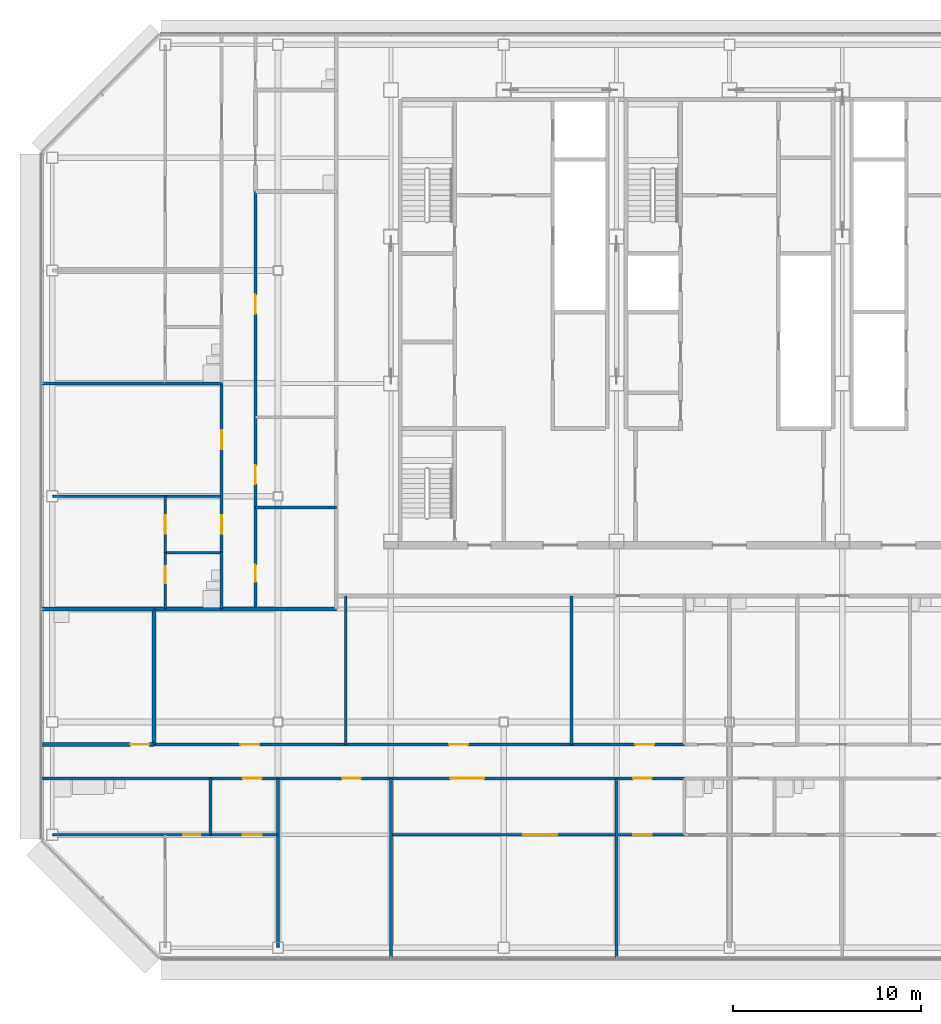
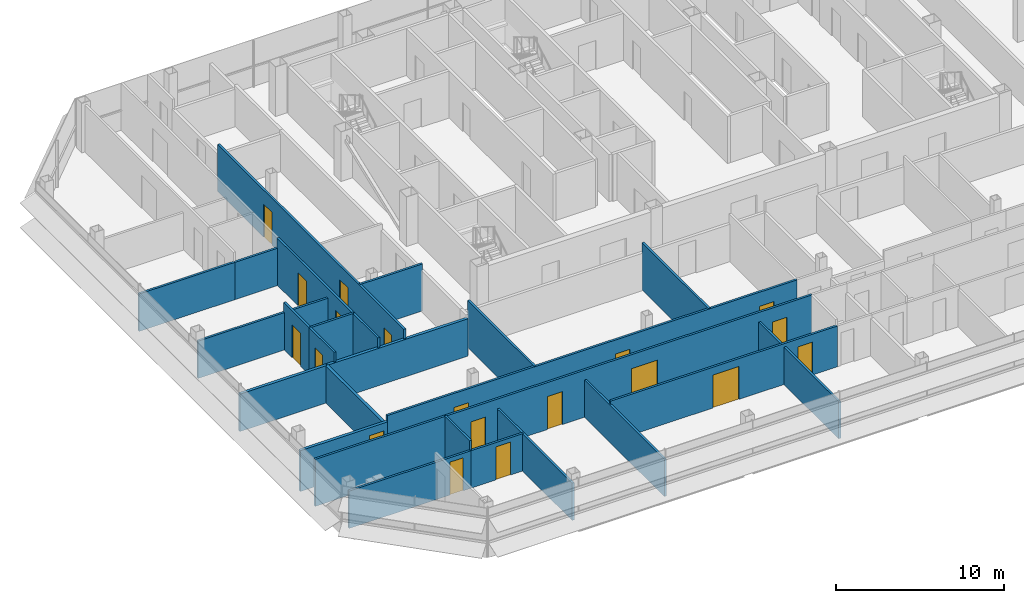
# One storey, part 21 of 28: 26 walls, 19 doors, 19 openings.
"""IFC4 building model written with IfcOpenShell, lengths in metres."""

import ifcopenshell
import ifcopenshell.guid

model = None  # the IFC model being written
_history = None  # IfcOwnerHistory: only IFC2X3 demands one
_inside = {}  # id of a spatial element -> (the spatial element, [elements in it])
_under = {}  # id of a project, library or spatial element -> (it, [spatial elements below it])
_declared = {}  # id of a project -> (the project, [libraries it declares])
_typed = {}  # id of a type object -> (the type object, [elements of that type])
_made_of = {}  # id of a material, layer set ... -> (it, [elements and type objects made of it])


def new_model(schema):
    """Start an empty IFC model of exactly this schema.

    Asked for "IFC4X3", IfcOpenShell would pick the latest addendum, in which some entities
    have other attributes; the version numbers below select the first issue.
    IFC2X3 requires an IfcOwnerHistory on every rooted entity: one is made here for all.
    """
    global model, _history
    if schema == "IFC4X3":
        model = ifcopenshell.file(schema_version=(4, 3, 0, 0))
    else:
        model = ifcopenshell.file(schema=schema)
    _inside.clear()
    _under.clear()
    _declared.clear()
    _typed.clear()
    _made_of.clear()
    _history = None
    if model.schema == "IFC2X3":
        org = make("IfcOrganization", Name="unknown")
        user = make(
            "IfcPersonAndOrganization",
            ThePerson=make("IfcPerson", FamilyName="unknown"),
            TheOrganization=org,
        )
        app = make(
            "IfcApplication",
            ApplicationDeveloper=org,
            Version="unknown",
            ApplicationFullName="unknown",
            ApplicationIdentifier="unknown",
        )
        _history = make(
            "IfcOwnerHistory",
            OwningUser=user,
            OwningApplication=app,
            ChangeAction="ADDED",
            CreationDate=0,
        )
    return model


def make(cls, **values):
    """One entity of the class cls with the attributes given. An attribute that is None is left unset."""
    return model.create_entity(
        cls, **{name: value for name, value in values.items() if value is not None}
    )


def rooted(cls, **values):
    """An entity with a GlobalId (a new one), such as an element, a storey or a relation."""
    return make(cls, GlobalId=ifcopenshell.guid.new(), OwnerHistory=_history, **values)


def si_unit(unit_type, name, prefix=None):
    """IfcSIUnit, for example si_unit("LENGTHUNIT", "METRE", prefix="MILLI")."""
    return make("IfcSIUnit", UnitType=unit_type, Prefix=prefix, Name=name)


def assignment(units):
    """IfcUnitAssignment: the units of a project."""
    return None if units is None else make("IfcUnitAssignment", Units=units)


def point(xyz):
    """IfcCartesianPoint."""
    return None if xyz is None else make("IfcCartesianPoint", Coordinates=xyz)


def direction(xyz):
    """IfcDirection."""
    return None if xyz is None else make("IfcDirection", DirectionRatios=xyz)


def frame(location, z_axis=None, x_axis=None):
    """IfcAxis2Placement3D, a coordinate frame: its origin and axes. An axis left out is left unset."""
    return make(
        "IfcAxis2Placement3D",
        Location=point(location),
        Axis=direction(z_axis),
        RefDirection=direction(x_axis),
    )


def frame_2d(location, x_axis=None):
    """IfcAxis2Placement2D, a coordinate frame in the plane: its origin and x axis."""
    return make(
        "IfcAxis2Placement2D", Location=point(location), RefDirection=direction(x_axis)
    )


def origin():
    """The frame at (0, 0, 0) with its axes left unset."""
    return frame((0.0, 0.0, 0.0))


def place(relative_to, where):
    """IfcLocalPlacement: puts the frame where relative to a parent placement (None: the world)."""
    return make(
        "IfcLocalPlacement", PlacementRelTo=relative_to, RelativePlacement=where
    )


def context(
    kind, dimensions, precision=None, world=None, true_north=None, identifier=None
):
    """IfcGeometricRepresentationContext, for example the 3D "Model" context."""
    return make(
        "IfcGeometricRepresentationContext",
        ContextIdentifier=identifier,
        ContextType=kind,
        CoordinateSpaceDimension=dimensions,
        Precision=precision,
        WorldCoordinateSystem=world,
        TrueNorth=true_north,
    )


def subcontext(parent, identifier, kind, view, scale=None):
    """IfcGeometricRepresentationSubContext, for example "Body" below "Model"."""
    return make(
        "IfcGeometricRepresentationSubContext",
        ContextIdentifier=identifier,
        ContextType=kind,
        ParentContext=parent,
        TargetScale=scale,
        TargetView=view,
    )


def project(units=None, contexts=None):
    """IfcProject with its units and contexts."""
    return rooted(
        "IfcProject",
        Name="project",
        RepresentationContexts=contexts,
        UnitsInContext=assignment(units),
    )


def spatial(cls, under=None, at=None, **own):
    """A site, building, storey or space (cls), placed at a placement, below another one or the project."""
    s = rooted(cls, ObjectPlacement=at, **own)
    if under is not None:
        _under.setdefault(under.id(), (under, []))[1].append(s)
    return s


def profile(cls, at=None, kind="AREA", **sizes):
    """A parametric profile (cls). Its sizes go by their IFC names, for example OverallWidth=200.0."""
    return make(cls, ProfileType=kind, Position=at, **sizes)


def rectangle(**sizes):
    """IfcRectangleProfileDef."""
    return profile("IfcRectangleProfileDef", **sizes)


def extrude(swept, where, along, depth):
    """IfcExtrudedAreaSolid: the profile swept, set in the frame where, extruded along a direction by depth."""
    return make(
        "IfcExtrudedAreaSolid",
        SweptArea=swept,
        Position=where,
        ExtrudedDirection=direction(along),
        Depth=depth,
    )


def shape(context_of_items, identifier, shape_type, items):
    """IfcShapeRepresentation: the items that make up one representation, for example the "Body"."""
    return make(
        "IfcShapeRepresentation",
        ContextOfItems=context_of_items,
        RepresentationIdentifier=identifier,
        RepresentationType=shape_type,
        Items=items,
    )


def material(Name=None, Category=None):
    """IfcMaterial."""
    return make("IfcMaterial", Name=Name, Category=Category)


def layer(
    of_material, thickness, ventilated=None, Name=None, Category=None, Priority=None
):
    """IfcMaterialLayer: one layer of a wall or slab, of a material (None: an air gap)."""
    return make(
        "IfcMaterialLayer",
        Material=of_material,
        LayerThickness=thickness,
        IsVentilated=ventilated,
        Name=Name,
        Category=Category,
        Priority=Priority,
    )


def layer_set(layers, Name=None):
    """IfcMaterialLayerSet."""
    return make("IfcMaterialLayerSet", MaterialLayers=layers, LayerSetName=Name)


def made_of(thing, what):
    """Note that an element or type object is made of a material, layer set ...; save() writes the relation."""
    if what is not None:
        _made_of.setdefault(what.id(), (what, []))[1].append(thing)
    return thing


def type_object(cls, material=None, **own):
    """A type object (cls), such as IfcWallType, which elements share."""
    return made_of(rooted(cls, **own), material)


def element(
    cls,
    number,
    at=None,
    inside=None,
    cuts=None,
    type_object=None,
    material=None,
    context=None,
    identifier="Body",
    shape_type=None,
    held_by="IfcProductDefinitionShape",
    body=None,
    shapes=None,
    **own,
):
    """One element of the class cls, such as IfcWall. Its Tag is "e" and its number.

    at: its placement. inside: the storey or other place that contains it. cuts: it is an
    opening in that element (IfcRelVoidsElement). A single representation is given by context,
    identifier, shape_type and body (its items); several are given by shapes. held_by: the class
    of the entity that holds the representations. save() writes the other relations.
    """
    e = rooted(cls, Tag="e%d" % number, ObjectPlacement=at, **own)
    if body is not None:
        shapes = [shape(context, identifier, shape_type, body)]
    if shapes is not None:
        e.Representation = make(held_by, Representations=shapes)
    if inside is not None:
        _inside.setdefault(inside.id(), (inside, []))[1].append(e)
    if cuts is not None:
        rooted(
            "IfcRelVoidsElement", RelatingBuildingElement=cuts, RelatedOpeningElement=e
        )
    if type_object is not None:
        _typed.setdefault(type_object.id(), (type_object, []))[1].append(e)
    return made_of(e, material)


def fill(opening, filler):
    """IfcRelFillsElement: the door or window that sits in an opening."""
    return rooted(
        "IfcRelFillsElement",
        RelatingOpeningElement=opening,
        RelatedBuildingElement=filler,
    )


def aggregate(whole, parts):
    """IfcRelAggregates: a whole, such as a stair, and the parts it consists of."""
    return rooted("IfcRelAggregates", RelatingObject=whole, RelatedObjects=parts)


def save(model, path):
    """Write the relations noted so far, then the file.

    IfcRelAggregates (storeys below a building ...), IfcRelContainedInSpatialStructure (elements
    in a storey), IfcRelDefinesByType, IfcRelAssociatesMaterial and IfcRelDeclares: one each for
    every whole, place, type object, material and project.
    """
    for whole, parts in _under.values():
        aggregate(whole, parts)
    for where, things in _inside.values():
        rooted(
            "IfcRelContainedInSpatialStructure",
            RelatedElements=things,
            RelatingStructure=where,
        )
    for kind, things in _typed.values():
        rooted("IfcRelDefinesByType", RelatedObjects=things, RelatingType=kind)
    for what, things in _made_of.values():
        rooted("IfcRelAssociatesMaterial", RelatedObjects=things, RelatingMaterial=what)
    for by, libraries in _declared.values():
        rooted("IfcRelDeclares", RelatingContext=by, RelatedDefinitions=libraries)
    model.write(path)


model = new_model("IFC4")

# Units and contexts
model_context = context("Model", 3, precision=1e-05, world=origin(), true_north=direction((0.0, 1.0)))
body_context = subcontext(model_context, "Body", "Model", "MODEL_VIEW")
ifc_project = project(units=[si_unit("LENGTHUNIT", "METRE"), si_unit("AREAUNIT", "SQUARE_METRE"), si_unit("VOLUMEUNIT", "CUBIC_METRE"), si_unit("PLANEANGLEUNIT", "RADIAN"), si_unit("MASSUNIT", "GRAM", prefix="KILO")], contexts=[model_context])

# Site, building, storey
site_placement = place(None, origin())
site = spatial("IfcSite", under=ifc_project, at=site_placement, CompositionType="ELEMENT")
building_placement = place(site_placement, origin())
building = spatial("IfcBuilding", under=site, at=building_placement, Name="Sorahane Residences", CompositionType="ELEMENT")
storey_placement = place(building_placement, frame((0.0, 0.0, 270.199951171875)))
storey = spatial("IfcBuildingStorey", under=building, at=storey_placement, Name="L64", CompositionType="ELEMENT", Elevation=270.199951171875)

# Wall
ifc_material_1 = material(Name="Concrete blockwork C20 wall", Category="masonry")
ifc_layer_1 = layer(ifc_material_1, 0.199951171875)
ifc_layer_set_1 = layer_set([ifc_layer_1], Name="Kitchen wall 200 EI 180")
wall_type_1 = type_object("IfcWallType", Name="Kitchen wall 200 EI 180", PredefinedType="SOLIDWALL", material=ifc_layer_set_1)
wall_1_placement = place(storey_placement, frame((-6.60009765625, 10.800048828125, 0.0), z_axis=(0.0, 0.0, 1.0), x_axis=(0.0, 1.0, 0.0)))
element("IfcWall", 1, at=wall_1_placement, inside=storey, type_object=wall_type_1, Name="L64 kitchen wall", PredefinedType="SOLIDWALL", context=body_context, shape_type="SweptSolid", body=[
    extrude(rectangle(XDim=7.199951171875, YDim=0.199951171875, at=frame_2d((3.60009765625, 0.0))), origin(), (0.0, 0.0, 1.0), 2.719970703125),
])

# Wall, opening, door
wall_2_placement = place(storey_placement, frame((-12.60009765625, 10.800048828125, 0.0), z_axis=(0.0, 0.0, 1.0), x_axis=(1.0, 0.0, 0.0)))
wall_2 = element("IfcWall", 2, at=wall_2_placement, inside=storey, type_object=wall_type_1, Name="L64 kitchen wall", PredefinedType="SOLIDWALL", context=body_context, shape_type="SweptSolid", body=[
    extrude(rectangle(XDim=6.0, YDim=0.199951171875, at=frame_2d((3.0, 0.0))), origin(), (0.0, 0.0, 1.0), 2.969970703125),
])
opening_1_placement = place(wall_2_placement, frame((4.75, 0.0, 0.0)))
opening_1 = element("IfcOpeningElement", 3, at=opening_1_placement, cuts=wall_2, Name="Opening L64-02", PredefinedType="OPENING", context=body_context, shape_type="SweptSolid", body=[
    extrude(rectangle(XDim=1.0, YDim=2.39990234375, at=frame_2d((0.5, 1.199951171875))), frame((0.0, 0.10986328125, 0.0), z_axis=(0.0, -1.0, 0.0), x_axis=(1.0, 0.0, 0.0)), (0.0, 0.0, 1.0), 0.219970703125),
])
ifc_material_2 = material(Name="Steel", Category="steel")
door_type_1 = type_object("IfcDoorType", Name="Kitchen door 1000x2400 FD120", OperationType="NOTDEFINED", PredefinedType="DOOR", material=ifc_material_2)
door_1_placement = place(opening_1_placement, origin())
door_1 = element("IfcDoor", 4, at=door_1_placement, inside=storey, type_object=door_type_1, Name="Kitchen door L64-02", OperationType="SINGLE_SWING_RIGHT", OverallHeight=2.39990234375, OverallWidth=1.0, PredefinedType="DOOR", context=body_context, shape_type="SweptSolid", body=[
    extrude(rectangle(XDim=1.0, YDim=2.39990234375, at=frame_2d((0.5, 1.199951171875))), frame((0.0, 0.02490234375, 0.0), z_axis=(0.0, -1.0, 0.0), x_axis=(1.0, 0.0, 0.0)), (0.0, 0.0, 1.0), 0.050048828125),
])
fill(opening_1, door_1)

# Wall
wall_3_placement = place(storey_placement, frame((-12.60009765625, 18.0, 0.0), z_axis=(0.0, 0.0, 1.0), x_axis=(1.0, 0.0, 0.0)))
element("IfcWall", 5, at=wall_3_placement, inside=storey, type_object=wall_type_1, Name="L64 kitchen wall", PredefinedType="SOLIDWALL", context=body_context, shape_type="SweptSolid", body=[
    extrude(rectangle(XDim=6.0, YDim=0.199951171875, at=frame_2d((3.0, 0.0))), origin(), (0.0, 0.0, 1.0), 2.719970703125),
])

# Wall, openings, doors
ifc_material_3 = material(Name="Gypsum board partition on steel studs", Category="steel")
ifc_layer_2 = layer(ifc_material_3, 0.14990234375)
ifc_layer_set_2 = layer_set([ifc_layer_2], Name="Partition 150 EI 90")
wall_type_2 = type_object("IfcWallType", Name="Partition 150 EI 90", PredefinedType="PARTITIONING", material=ifc_layer_set_2)
wall_4_placement = place(storey_placement, frame((-1.199951171875, 18.0, 0.0), z_axis=(0.0, 0.0, 1.0), x_axis=(0.0, 1.0, 0.0)))
wall_4 = element("IfcWall", 6, at=wall_4_placement, inside=storey, type_object=wall_type_2, Name="L64 partition", PredefinedType="PARTITIONING", context=body_context, shape_type="SweptSolid", body=[
    extrude(rectangle(XDim=22.199951171875, YDim=0.14990234375, at=frame_2d((11.10009765625, 0.0))), origin(), (0.0, 0.0, 1.0), 3.420166015625),
])
opening_2_placement = place(wall_4_placement, frame((6.639892578125, 0.0, 0.0)))
opening_2 = element("IfcOpeningElement", 7, at=opening_2_placement, cuts=wall_4, Name="Opening L64-30", PredefinedType="OPENING", context=body_context, shape_type="SweptSolid", body=[
    extrude(rectangle(XDim=1.0, YDim=2.39990234375, at=frame_2d((0.5, 1.199951171875))), frame((0.0, 0.0849609375, 0.0), z_axis=(0.0, -1.0, 0.0), x_axis=(1.0, 0.0, 0.0)), (0.0, 0.0, 1.0), 0.169921875),
])
opening_3_placement = place(wall_4_placement, frame((1.449951171875, 0.0, 0.0)))
opening_3 = element("IfcOpeningElement", 8, at=opening_3_placement, cuts=wall_4, Name="Opening L64-31", PredefinedType="OPENING", context=body_context, shape_type="SweptSolid", body=[
    extrude(rectangle(XDim=0.89990234375, YDim=2.10009765625, at=frame_2d((0.449951171875, 1.050048828125))), frame((0.0, 0.0849609375, 0.0), z_axis=(0.0, -1.0, 0.0), x_axis=(1.0, 0.0, 0.0)), (0.0, 0.0, 1.0), 0.169921875),
])
opening_4_placement = place(wall_4_placement, frame((15.699951171875, 0.0, 0.0)))
opening_4 = element("IfcOpeningElement", 9, at=opening_4_placement, cuts=wall_4, Name="Opening L64-32", PredefinedType="OPENING", context=body_context, shape_type="SweptSolid", body=[
    extrude(rectangle(XDim=1.0, YDim=2.39990234375, at=frame_2d((0.5, 1.199951171875))), frame((0.0, 0.0849609375, 0.0), z_axis=(0.0, -1.0, 0.0), x_axis=(1.0, 0.0, 0.0)), (0.0, 0.0, 1.0), 0.169921875),
])
ifc_material_4 = material(Name="Timber veneered fire door", Category="wood")
door_type_2 = type_object("IfcDoorType", Name="Room door 1000x2400 FD30", OperationType="NOTDEFINED", PredefinedType="DOOR", material=ifc_material_4)
door_2_placement = place(opening_2_placement, origin())
door_2 = element("IfcDoor", 10, at=door_2_placement, inside=storey, type_object=door_type_2, Name="Room door L64-30", OperationType="SINGLE_SWING_RIGHT", OverallHeight=2.39990234375, OverallWidth=1.0, PredefinedType="DOOR", context=body_context, shape_type="SweptSolid", body=[
    extrude(rectangle(XDim=1.0, YDim=2.39990234375, at=frame_2d((0.5, 1.199951171875))), frame((0.0, 0.02490234375, 0.0), z_axis=(0.0, -1.0, 0.0), x_axis=(1.0, 0.0, 0.0)), (0.0, 0.0, 1.0), 0.050048828125),
])
fill(opening_2, door_2)
door_3_placement = place(opening_4_placement, frame((1.0, 0.0, 0.0), z_axis=(0.0, 0.0, 1.0), x_axis=(-1.0, 0.0, 0.0)))
door_3 = element("IfcDoor", 11, at=door_3_placement, inside=storey, type_object=door_type_2, Name="Room door L64-32", OperationType="SINGLE_SWING_RIGHT", OverallHeight=2.39990234375, OverallWidth=1.0, PredefinedType="DOOR", context=body_context, shape_type="SweptSolid", body=[
    extrude(rectangle(XDim=1.0, YDim=2.39990234375, at=frame_2d((0.5, 1.199951171875))), frame((0.0, 0.02490234375, 0.0), z_axis=(0.0, -1.0, 0.0), x_axis=(1.0, 0.0, 0.0)), (0.0, 0.0, 1.0), 0.050048828125),
])
fill(opening_4, door_3)
ifc_material_5 = material(Name="Timber veneered fire door", Category="wood")
door_type_3 = type_object("IfcDoorType", Name="Service door 900x2100 FD30", OperationType="NOTDEFINED", PredefinedType="DOOR", material=ifc_material_5)
door_4_placement = place(opening_3_placement, frame((0.89990234375, 0.0, 0.0), z_axis=(0.0, 0.0, 1.0), x_axis=(-1.0, 0.0, 0.0)))
door_4 = element("IfcDoor", 12, at=door_4_placement, inside=storey, type_object=door_type_3, Name="Service door L64-31", OperationType="SINGLE_SWING_RIGHT", OverallHeight=2.10009765625, OverallWidth=0.89990234375, PredefinedType="DOOR", context=body_context, shape_type="SweptSolid", body=[
    extrude(rectangle(XDim=0.89990234375, YDim=2.10009765625, at=frame_2d((0.449951171875, 1.050048828125))), frame((0.0, 0.02490234375, 0.0), z_axis=(0.0, -1.0, 0.0), x_axis=(1.0, 0.0, 0.0)), (0.0, 0.0, 1.0), 0.050048828125),
])
fill(opening_3, door_4)

wall_5_placement = place(storey_placement, frame((-3.0, 21.0, 0.0), z_axis=(0.0, 0.0, 1.0), x_axis=(0.0, 1.0, 0.0)))
wall_5 = element("IfcWall", 13, at=wall_5_placement, inside=storey, type_object=wall_type_2, Name="L64 partition", PredefinedType="PARTITIONING", context=body_context, shape_type="SweptSolid", body=[
    extrude(rectangle(XDim=9.0, YDim=0.14990234375, at=frame_2d((4.5, 0.0))), origin(), (0.0, 0.0, 1.0), 3.420166015625),
])
opening_5_placement = place(wall_5_placement, frame((1.0, 0.0, 0.0)))
opening_5 = element("IfcOpeningElement", 14, at=opening_5_placement, cuts=wall_5, Name="Opening L64-35", PredefinedType="OPENING", context=body_context, shape_type="SweptSolid", body=[
    extrude(rectangle(XDim=1.0, YDim=2.39990234375, at=frame_2d((0.5, 1.199951171875))), frame((0.0, 0.0849609375, 0.0), z_axis=(0.0, -1.0, 0.0), x_axis=(1.0, 0.0, 0.0)), (0.0, 0.0, 1.0), 0.169921875),
])
opening_6_placement = place(wall_5_placement, frame((5.5, 0.0, 0.0)))
opening_6 = element("IfcOpeningElement", 15, at=opening_6_placement, cuts=wall_5, Name="Opening L64-36", PredefinedType="OPENING", context=body_context, shape_type="SweptSolid", body=[
    extrude(rectangle(XDim=1.0, YDim=2.39990234375, at=frame_2d((0.5, 1.199951171875))), frame((0.0, 0.0849609375, 0.0), z_axis=(0.0, -1.0, 0.0), x_axis=(1.0, 0.0, 0.0)), (0.0, 0.0, 1.0), 0.169921875),
])
door_5_placement = place(opening_5_placement, origin())
door_5 = element("IfcDoor", 16, at=door_5_placement, inside=storey, type_object=door_type_2, Name="Room door L64-35", OperationType="SINGLE_SWING_LEFT", OverallHeight=2.39990234375, OverallWidth=1.0, PredefinedType="DOOR", context=body_context, shape_type="SweptSolid", body=[
    extrude(rectangle(XDim=1.0, YDim=2.39990234375, at=frame_2d((0.5, 1.199951171875))), frame((0.0, 0.02490234375, 0.0), z_axis=(0.0, -1.0, 0.0), x_axis=(1.0, 0.0, 0.0)), (0.0, 0.0, 1.0), 0.050048828125),
])
fill(opening_5, door_5)
door_6_placement = place(opening_6_placement, origin())
door_6 = element("IfcDoor", 17, at=door_6_placement, inside=storey, type_object=door_type_2, Name="Room door L64-36", OperationType="SINGLE_SWING_LEFT", OverallHeight=2.39990234375, OverallWidth=1.0, PredefinedType="DOOR", context=body_context, shape_type="SweptSolid", body=[
    extrude(rectangle(XDim=1.0, YDim=2.39990234375, at=frame_2d((0.5, 1.199951171875))), frame((0.0, 0.02490234375, 0.0), z_axis=(0.0, -1.0, 0.0), x_axis=(1.0, 0.0, 0.0)), (0.0, 0.0, 1.0), 0.050048828125),
])
fill(opening_6, door_6)

# Wall, opening, door
wall_6_placement = place(storey_placement, frame((-6.0, 21.0, 0.0), z_axis=(0.0, 0.0, 1.0), x_axis=(0.0, 1.0, 0.0)))
wall_6 = element("IfcWall", 18, at=wall_6_placement, inside=storey, type_object=wall_type_2, Name="L64 partition", PredefinedType="PARTITIONING", context=body_context, shape_type="SweptSolid", body=[
    extrude(rectangle(XDim=3.0, YDim=0.14990234375, at=frame_2d((1.5, 0.0))), origin(), (0.0, 0.0, 1.0), 3.420166015625),
])
opening_7_placement = place(wall_6_placement, frame((1.0, 0.0, 0.0)))
opening_7 = element("IfcOpeningElement", 19, at=opening_7_placement, cuts=wall_6, Name="Opening L64-39", PredefinedType="OPENING", context=body_context, shape_type="SweptSolid", body=[
    extrude(rectangle(XDim=1.0, YDim=2.39990234375, at=frame_2d((0.5, 1.199951171875))), frame((0.0, 0.0849609375, 0.0), z_axis=(0.0, -1.0, 0.0), x_axis=(1.0, 0.0, 0.0)), (0.0, 0.0, 1.0), 0.169921875),
])
door_7_placement = place(opening_7_placement, origin())
door_7 = element("IfcDoor", 20, at=door_7_placement, inside=storey, type_object=door_type_2, Name="Room door L64-39", OperationType="SINGLE_SWING_LEFT", OverallHeight=2.39990234375, OverallWidth=1.0, PredefinedType="DOOR", context=body_context, shape_type="SweptSolid", body=[
    extrude(rectangle(XDim=1.0, YDim=2.39990234375, at=frame_2d((0.5, 1.199951171875))), frame((0.0, 0.02490234375, 0.0), z_axis=(0.0, -1.0, 0.0), x_axis=(1.0, 0.0, 0.0)), (0.0, 0.0, 1.0), 0.050048828125),
])
fill(opening_7, door_7)

# Walls
wall_7_placement = place(storey_placement, frame((0.0, 0.0, 0.0), z_axis=(0.0, 0.0, 1.0), x_axis=(0.0, 1.0, 0.0)))
element("IfcWall", 21, at=wall_7_placement, inside=storey, type_object=wall_type_2, Name="L64 partition", PredefinedType="PARTITIONING", context=body_context, shape_type="SweptSolid", body=[
    extrude(rectangle(XDim=9.0, YDim=0.14990234375, at=frame_2d((4.5, 0.0))), origin(), (0.0, 0.0, 1.0), 2.719970703125),
])
wall_8_placement = place(storey_placement, frame((15.60009765625, 10.800048828125, 0.0), z_axis=(0.0, 0.0, 1.0), x_axis=(0.0, 1.0, 0.0)))
element("IfcWall", 22, at=wall_8_placement, inside=storey, type_object=wall_type_2, Name="L64 partition", PredefinedType="PARTITIONING", context=body_context, shape_type="SweptSolid", body=[
    extrude(rectangle(XDim=7.89990234375, YDim=0.14990234375, at=frame_2d((3.949951171875, 0.0))), origin(), (0.0, 0.0, 1.0), 3.420166015625),
])
wall_9_placement = place(storey_placement, frame((18.0, -0.60009765625, 0.0), z_axis=(0.0, 0.0, 1.0), x_axis=(0.0, 1.0, 0.0)))
element("IfcWall", 23, at=wall_9_placement, inside=storey, type_object=wall_type_2, Name="L64 partition", PredefinedType="PARTITIONING", context=body_context, shape_type="SweptSolid", body=[
    extrude(rectangle(XDim=9.60009765625, YDim=0.14990234375, at=frame_2d((4.800048828125, 0.0))), origin(), (0.0, 0.0, 1.0), 2.719970703125),
])
wall_10_placement = place(storey_placement, frame((3.60009765625, 10.800048828125, 0.0), z_axis=(0.0, 0.0, 1.0), x_axis=(0.0, 1.0, 0.0)))
element("IfcWall", 24, at=wall_10_placement, inside=storey, type_object=wall_type_2, Name="L64 partition", PredefinedType="PARTITIONING", context=body_context, shape_type="SweptSolid", body=[
    extrude(rectangle(XDim=7.89990234375, YDim=0.14990234375, at=frame_2d((3.949951171875, 0.0))), origin(), (0.0, 0.0, 1.0), 3.420166015625),
])
wall_11_placement = place(storey_placement, frame((6.0, -0.60009765625, 0.0), z_axis=(0.0, 0.0, 1.0), x_axis=(0.0, 1.0, 0.0)))
element("IfcWall", 25, at=wall_11_placement, inside=storey, type_object=wall_type_2, Name="L64 partition", PredefinedType="PARTITIONING", context=body_context, shape_type="SweptSolid", body=[
    extrude(rectangle(XDim=9.60009765625, YDim=0.14990234375, at=frame_2d((4.800048828125, 0.0))), origin(), (0.0, 0.0, 1.0), 2.719970703125),
])

# Wall, openings, doors
wall_12_placement = place(storey_placement, frame((-6.60009765625, 10.800048828125, 0.0), z_axis=(0.0, 0.0, 1.0), x_axis=(1.0, 0.0, 0.0)))
wall_12 = element("IfcWall", 26, at=wall_12_placement, inside=storey, type_object=wall_type_2, Name="L64 partition", PredefinedType="PARTITIONING", context=body_context, shape_type="SweptSolid", body=[
    extrude(rectangle(XDim=28.2001953125, YDim=0.14990234375, at=frame_2d((14.10009765625, 0.0))), origin(), (0.0, 0.0, 1.0), 3.420166015625),
])
opening_8_placement = place(wall_12_placement, frame((25.60009765625, 0.0, 0.0)))
opening_8 = element("IfcOpeningElement", 27, at=opening_8_placement, cuts=wall_12, Name="Opening L64-01", PredefinedType="OPENING", context=body_context, shape_type="SweptSolid", body=[
    extrude(rectangle(XDim=1.0, YDim=2.39990234375, at=frame_2d((0.5, 1.199951171875))), frame((0.0, 0.0849609375, 0.0), z_axis=(0.0, -1.0, 0.0), x_axis=(1.0, 0.0, 0.0)), (0.0, 0.0, 1.0), 0.169921875),
])
opening_9_placement = place(wall_12_placement, frame((4.60009765625, 0.0, 0.0)))
opening_9 = element("IfcOpeningElement", 28, at=opening_9_placement, cuts=wall_12, Name="Opening L64-03", PredefinedType="OPENING", context=body_context, shape_type="SweptSolid", body=[
    extrude(rectangle(XDim=1.0, YDim=2.39990234375, at=frame_2d((0.5, 1.199951171875))), frame((0.0, 0.0849609375, 0.0), z_axis=(0.0, -1.0, 0.0), x_axis=(1.0, 0.0, 0.0)), (0.0, 0.0, 1.0), 0.169921875),
])
opening_10_placement = place(wall_12_placement, frame((15.699951171875, 0.0, 0.0)))
opening_10 = element("IfcOpeningElement", 29, at=opening_10_placement, cuts=wall_12, Name="Opening L64-04", PredefinedType="OPENING", context=body_context, shape_type="SweptSolid", body=[
    extrude(rectangle(XDim=1.0, YDim=2.39990234375, at=frame_2d((0.5, 1.199951171875))), frame((0.0, 0.0849609375, 0.0), z_axis=(0.0, -1.0, 0.0), x_axis=(1.0, 0.0, 0.0)), (0.0, 0.0, 1.0), 0.169921875),
])
door_8_placement = place(opening_8_placement, frame((1.0, 0.0, 0.0), z_axis=(0.0, 0.0, 1.0), x_axis=(-1.0, 0.0, 0.0)))
door_8 = element("IfcDoor", 30, at=door_8_placement, inside=storey, type_object=door_type_2, Name="Room door L64-01", OperationType="SINGLE_SWING_LEFT", OverallHeight=2.39990234375, OverallWidth=1.0, PredefinedType="DOOR", context=body_context, shape_type="SweptSolid", body=[
    extrude(rectangle(XDim=1.0, YDim=2.39990234375, at=frame_2d((0.5, 1.199951171875))), frame((0.0, 0.02490234375, 0.0), z_axis=(0.0, -1.0, 0.0), x_axis=(1.0, 0.0, 0.0)), (0.0, 0.0, 1.0), 0.050048828125),
])
fill(opening_8, door_8)
door_9_placement = place(opening_9_placement, origin())
door_9 = element("IfcDoor", 31, at=door_9_placement, inside=storey, type_object=door_type_2, Name="Room door L64-03", OperationType="SINGLE_SWING_LEFT", OverallHeight=2.39990234375, OverallWidth=1.0, PredefinedType="DOOR", context=body_context, shape_type="SweptSolid", body=[
    extrude(rectangle(XDim=1.0, YDim=2.39990234375, at=frame_2d((0.5, 1.199951171875))), frame((0.0, 0.02490234375, 0.0), z_axis=(0.0, -1.0, 0.0), x_axis=(1.0, 0.0, 0.0)), (0.0, 0.0, 1.0), 0.050048828125),
])
fill(opening_9, door_9)
door_10_placement = place(opening_10_placement, origin())
door_10 = element("IfcDoor", 32, at=door_10_placement, inside=storey, type_object=door_type_2, Name="Room door L64-04", OperationType="SINGLE_SWING_RIGHT", OverallHeight=2.39990234375, OverallWidth=1.0, PredefinedType="DOOR", context=body_context, shape_type="SweptSolid", body=[
    extrude(rectangle(XDim=1.0, YDim=2.39990234375, at=frame_2d((0.5, 1.199951171875))), frame((0.0, 0.02490234375, 0.0), z_axis=(0.0, -1.0, 0.0), x_axis=(1.0, 0.0, 0.0)), (0.0, 0.0, 1.0), 0.050048828125),
])
fill(opening_10, door_10)

# Walls
wall_13_placement = place(storey_placement, frame((-1.199951171875, 23.39990234375, 0.0), z_axis=(0.0, 0.0, 1.0), x_axis=(1.0, 0.0, 0.0)))
element("IfcWall", 33, at=wall_13_placement, inside=storey, type_object=wall_type_2, Name="L64 partition", PredefinedType="PARTITIONING", context=body_context, shape_type="SweptSolid", body=[
    extrude(rectangle(XDim=4.300048828125, YDim=0.14990234375, at=frame_2d((2.14990234375, 0.0))), origin(), (0.0, 0.0, 1.0), 3.420166015625),
])
wall_14_placement = place(storey_placement, frame((-12.0, 24.0, 0.0), z_axis=(0.0, 0.0, 1.0), x_axis=(1.0, 0.0, 0.0)))
element("IfcWall", 34, at=wall_14_placement, inside=storey, type_object=wall_type_2, Name="L64 partition", PredefinedType="PARTITIONING", context=body_context, shape_type="SweptSolid", body=[
    extrude(rectangle(XDim=9.0, YDim=0.14990234375, at=frame_2d((4.5, 0.0))), origin(), (0.0, 0.0, 1.0), 2.719970703125),
])
wall_15_placement = place(storey_placement, frame((-12.60009765625, 30.0, 0.0), z_axis=(0.0, 0.0, 1.0), x_axis=(1.0, 0.0, 0.0)))
element("IfcWall", 35, at=wall_15_placement, inside=storey, type_object=wall_type_2, Name="L64 partition", PredefinedType="PARTITIONING", context=body_context, shape_type="SweptSolid", body=[
    extrude(rectangle(XDim=6.60009765625, YDim=0.14990234375, at=frame_2d((3.300048828125, 0.0))), origin(), (0.0, 0.0, 1.0), 2.719970703125),
])

# Wall, opening, door
wall_16_placement = place(storey_placement, frame((-3.60009765625, 6.0, 0.0), z_axis=(0.0, 0.0, 1.0), x_axis=(1.0, 0.0, 0.0)))
wall_16 = element("IfcWall", 36, at=wall_16_placement, inside=storey, type_object=wall_type_2, Name="L64 partition", PredefinedType="PARTITIONING", context=body_context, shape_type="SweptSolid", body=[
    extrude(rectangle(XDim=3.60009765625, YDim=0.14990234375, at=frame_2d((1.800048828125, 0.0))), origin(), (0.0, 0.0, 1.0), 2.719970703125),
])
opening_11_placement = place(wall_16_placement, frame((1.719970703125, 0.0, 0.0)))
opening_11 = element("IfcOpeningElement", 37, at=opening_11_placement, cuts=wall_16, Name="Opening L64-10", PredefinedType="OPENING", context=body_context, shape_type="SweptSolid", body=[
    extrude(rectangle(XDim=1.0, YDim=2.39990234375, at=frame_2d((0.5, 1.199951171875))), frame((0.0, 0.0849609375, 0.0), z_axis=(0.0, -1.0, 0.0), x_axis=(1.0, 0.0, 0.0)), (0.0, 0.0, 1.0), 0.169921875),
])
door_11_placement = place(opening_11_placement, frame((1.0, 0.0, 0.0), z_axis=(0.0, 0.0, 1.0), x_axis=(-1.0, 0.0, 0.0)))
door_11 = element("IfcDoor", 38, at=door_11_placement, inside=storey, type_object=door_type_2, Name="Room door L64-10", OperationType="SINGLE_SWING_RIGHT", OverallHeight=2.39990234375, OverallWidth=1.0, PredefinedType="DOOR", context=body_context, shape_type="SweptSolid", body=[
    extrude(rectangle(XDim=1.0, YDim=2.39990234375, at=frame_2d((0.5, 1.199951171875))), frame((0.0, 0.02490234375, 0.0), z_axis=(0.0, -1.0, 0.0), x_axis=(1.0, 0.0, 0.0)), (0.0, 0.0, 1.0), 0.050048828125),
])
fill(opening_11, door_11)

# Wall, openings, doors
wall_17_placement = place(storey_placement, frame((6.0, 6.0, 0.0), z_axis=(0.0, 0.0, 1.0), x_axis=(1.0, 0.0, 0.0)))
wall_17 = element("IfcWall", 39, at=wall_17_placement, inside=storey, type_object=wall_type_2, Name="L64 partition", PredefinedType="PARTITIONING", context=body_context, shape_type="SweptSolid", body=[
    extrude(rectangle(XDim=15.60009765625, YDim=0.14990234375, at=frame_2d((7.800048828125, 0.0))), origin(), (0.0, 0.0, 1.0), 2.969970703125),
])
opening_12_placement = place(wall_17_placement, frame((7.0400390625, 0.0, 0.0)))
opening_12 = element("IfcOpeningElement", 40, at=opening_12_placement, cuts=wall_17, Name="Opening L64-13", PredefinedType="OPENING", context=body_context, shape_type="SweptSolid", body=[
    extrude(rectangle(XDim=1.800048828125, YDim=2.39990234375, at=frame_2d((0.89990234375, 1.199951171875))), frame((0.0, 0.0849609375, 0.0), z_axis=(0.0, -1.0, 0.0), x_axis=(1.0, 0.0, 0.0)), (0.0, 0.0, 1.0), 0.169921875),
])
opening_13_placement = place(wall_17_placement, frame((12.8798828125, 0.0, 0.0)))
opening_13 = element("IfcOpeningElement", 41, at=opening_13_placement, cuts=wall_17, Name="Opening L64-14", PredefinedType="OPENING", context=body_context, shape_type="SweptSolid", body=[
    extrude(rectangle(XDim=1.0, YDim=2.39990234375, at=frame_2d((0.5, 1.199951171875))), frame((0.0, 0.0849609375, 0.0), z_axis=(0.0, -1.0, 0.0), x_axis=(1.0, 0.0, 0.0)), (0.0, 0.0, 1.0), 0.169921875),
])
ifc_material_6 = material(Name="Timber veneered fire door", Category="wood")
door_type_4 = type_object("IfcDoorType", Name="Double door 1800x2400 FD30", OperationType="NOTDEFINED", PredefinedType="DOOR", material=ifc_material_6)
door_12_placement = place(opening_12_placement, frame((1.800048828125, 0.0, 0.0), z_axis=(0.0, 0.0, 1.0), x_axis=(-1.0, 0.0, 0.0)))
door_12 = element("IfcDoor", 42, at=door_12_placement, inside=storey, type_object=door_type_4, Name="Double door L64-13", OperationType="SINGLE_SWING_RIGHT", OverallHeight=2.39990234375, OverallWidth=1.800048828125, PredefinedType="DOOR", context=body_context, shape_type="SweptSolid", body=[
    extrude(rectangle(XDim=1.800048828125, YDim=2.39990234375, at=frame_2d((0.89990234375, 1.199951171875))), frame((0.0, 0.02490234375, 0.0), z_axis=(0.0, -1.0, 0.0), x_axis=(1.0, 0.0, 0.0)), (0.0, 0.0, 1.0), 0.050048828125),
])
fill(opening_12, door_12)
door_13_placement = place(opening_13_placement, frame((1.0, 0.0, 0.0), z_axis=(0.0, 0.0, 1.0), x_axis=(-1.0, 0.0, 0.0)))
door_13 = element("IfcDoor", 43, at=door_13_placement, inside=storey, type_object=door_type_2, Name="Room door L64-14", OperationType="SINGLE_SWING_RIGHT", OverallHeight=2.39990234375, OverallWidth=1.0, PredefinedType="DOOR", context=body_context, shape_type="SweptSolid", body=[
    extrude(rectangle(XDim=1.0, YDim=2.39990234375, at=frame_2d((0.5, 1.199951171875))), frame((0.0, 0.02490234375, 0.0), z_axis=(0.0, -1.0, 0.0), x_axis=(1.0, 0.0, 0.0)), (0.0, 0.0, 1.0), 0.050048828125),
])
fill(opening_13, door_13)

wall_18_placement = place(storey_placement, frame((-3.60009765625, 9.0, 0.0), z_axis=(0.0, 0.0, 1.0), x_axis=(1.0, 0.0, 0.0)))
wall_18 = element("IfcWall", 44, at=wall_18_placement, inside=storey, type_object=wall_type_2, Name="L64 partition", PredefinedType="PARTITIONING", context=body_context, shape_type="SweptSolid", body=[
    extrude(rectangle(XDim=25.2001953125, YDim=0.14990234375, at=frame_2d((12.60009765625, 0.0))), origin(), (0.0, 0.0, 1.0), 3.420166015625),
])
opening_14_placement = place(wall_18_placement, frame((1.719970703125, 0.0, 0.0)))
opening_14 = element("IfcOpeningElement", 45, at=opening_14_placement, cuts=wall_18, Name="Opening L64-06", PredefinedType="OPENING", context=body_context, shape_type="SweptSolid", body=[
    extrude(rectangle(XDim=1.0, YDim=2.39990234375, at=frame_2d((0.5, 1.199951171875))), frame((0.0, 0.0849609375, 0.0), z_axis=(0.0, -1.0, 0.0), x_axis=(1.0, 0.0, 0.0)), (0.0, 0.0, 1.0), 0.169921875),
])
opening_15_placement = place(wall_18_placement, frame((7.0, 0.0, 0.0)))
opening_15 = element("IfcOpeningElement", 46, at=opening_15_placement, cuts=wall_18, Name="Opening L64-07", PredefinedType="OPENING", context=body_context, shape_type="SweptSolid", body=[
    extrude(rectangle(XDim=1.0, YDim=2.39990234375, at=frame_2d((0.5, 1.199951171875))), frame((0.0, 0.0849609375, 0.0), z_axis=(0.0, -1.0, 0.0), x_axis=(1.0, 0.0, 0.0)), (0.0, 0.0, 1.0), 0.169921875),
])
opening_16_placement = place(wall_18_placement, frame((12.760009765625, 0.0, 0.0)))
opening_16 = element("IfcOpeningElement", 47, at=opening_16_placement, cuts=wall_18, Name="Opening L64-08", PredefinedType="OPENING", context=body_context, shape_type="SweptSolid", body=[
    extrude(rectangle(XDim=1.800048828125, YDim=2.39990234375, at=frame_2d((0.89990234375, 1.199951171875))), frame((0.0, 0.0849609375, 0.0), z_axis=(0.0, -1.0, 0.0), x_axis=(1.0, 0.0, 0.0)), (0.0, 0.0, 1.0), 0.169921875),
])
opening_17_placement = place(wall_18_placement, frame((22.47998046875, 0.0, 0.0)))
opening_17 = element("IfcOpeningElement", 48, at=opening_17_placement, cuts=wall_18, Name="Opening L64-09", PredefinedType="OPENING", context=body_context, shape_type="SweptSolid", body=[
    extrude(rectangle(XDim=1.0, YDim=2.39990234375, at=frame_2d((0.5, 1.199951171875))), frame((0.0, 0.0849609375, 0.0), z_axis=(0.0, -1.0, 0.0), x_axis=(1.0, 0.0, 0.0)), (0.0, 0.0, 1.0), 0.169921875),
])
door_14_placement = place(opening_16_placement, frame((1.800048828125, 0.0, 0.0), z_axis=(0.0, 0.0, 1.0), x_axis=(-1.0, 0.0, 0.0)))
door_14 = element("IfcDoor", 49, at=door_14_placement, inside=storey, type_object=door_type_4, Name="Double door L64-08", OperationType="SINGLE_SWING_LEFT", OverallHeight=2.39990234375, OverallWidth=1.800048828125, PredefinedType="DOOR", context=body_context, shape_type="SweptSolid", body=[
    extrude(rectangle(XDim=1.800048828125, YDim=2.39990234375, at=frame_2d((0.89990234375, 1.199951171875))), frame((0.0, 0.02490234375, 0.0), z_axis=(0.0, -1.0, 0.0), x_axis=(1.0, 0.0, 0.0)), (0.0, 0.0, 1.0), 0.050048828125),
])
fill(opening_16, door_14)
door_15_placement = place(opening_14_placement, frame((1.0, 0.0, 0.0), z_axis=(0.0, 0.0, 1.0), x_axis=(-1.0, 0.0, 0.0)))
door_15 = element("IfcDoor", 50, at=door_15_placement, inside=storey, type_object=door_type_2, Name="Room door L64-06", OperationType="SINGLE_SWING_LEFT", OverallHeight=2.39990234375, OverallWidth=1.0, PredefinedType="DOOR", context=body_context, shape_type="SweptSolid", body=[
    extrude(rectangle(XDim=1.0, YDim=2.39990234375, at=frame_2d((0.5, 1.199951171875))), frame((0.0, 0.02490234375, 0.0), z_axis=(0.0, -1.0, 0.0), x_axis=(1.0, 0.0, 0.0)), (0.0, 0.0, 1.0), 0.050048828125),
])
fill(opening_14, door_15)
door_16_placement = place(opening_15_placement, frame((1.0, 0.0, 0.0), z_axis=(0.0, 0.0, 1.0), x_axis=(-1.0, 0.0, 0.0)))
door_16 = element("IfcDoor", 51, at=door_16_placement, inside=storey, type_object=door_type_2, Name="Room door L64-07", OperationType="SINGLE_SWING_LEFT", OverallHeight=2.39990234375, OverallWidth=1.0, PredefinedType="DOOR", context=body_context, shape_type="SweptSolid", body=[
    extrude(rectangle(XDim=1.0, YDim=2.39990234375, at=frame_2d((0.5, 1.199951171875))), frame((0.0, 0.02490234375, 0.0), z_axis=(0.0, -1.0, 0.0), x_axis=(1.0, 0.0, 0.0)), (0.0, 0.0, 1.0), 0.050048828125),
])
fill(opening_15, door_16)
door_17_placement = place(opening_17_placement, frame((1.0, 0.0, 0.0), z_axis=(0.0, 0.0, 1.0), x_axis=(-1.0, 0.0, 0.0)))
door_17 = element("IfcDoor", 52, at=door_17_placement, inside=storey, type_object=door_type_2, Name="Room door L64-09", OperationType="SINGLE_SWING_LEFT", OverallHeight=2.39990234375, OverallWidth=1.0, PredefinedType="DOOR", context=body_context, shape_type="SweptSolid", body=[
    extrude(rectangle(XDim=1.0, YDim=2.39990234375, at=frame_2d((0.5, 1.199951171875))), frame((0.0, 0.02490234375, 0.0), z_axis=(0.0, -1.0, 0.0), x_axis=(1.0, 0.0, 0.0)), (0.0, 0.0, 1.0), 0.050048828125),
])
fill(opening_17, door_17)

# Walls
ifc_material_7 = material(Name="Concrete blockwork C20 wall", Category="masonry")
ifc_layer_3 = layer(ifc_material_7, 0.199951171875)
ifc_layer_set_3 = layer_set([ifc_layer_3], Name="Party wall 200 EI 120")
wall_type_3 = type_object("IfcWallType", Name="Party wall 200 EI 120", PredefinedType="SOLIDWALL", material=ifc_layer_set_3)
wall_19_placement = place(storey_placement, frame((-6.60009765625, 18.0, 0.0), z_axis=(0.0, 0.0, 1.0), x_axis=(1.0, 0.0, 0.0)))
element("IfcWall", 53, at=wall_19_placement, inside=storey, type_object=wall_type_3, Name="L64 party wall", PredefinedType="SOLIDWALL", context=body_context, shape_type="SweptSolid", body=[
    extrude(rectangle(XDim=9.7001953125, YDim=0.199951171875, at=frame_2d((4.85009765625, 0.0))), origin(), (0.0, 0.0, 1.0), 2.719970703125),
])
ifc_material_8 = material(Name="Gypsum board partition on steel studs", Category="steel")
ifc_layer_4 = layer(ifc_material_8, 0.14990234375)
ifc_layer_set_4 = layer_set([ifc_layer_4], Name="Wet wall 150 EI 90")
wall_type_4 = type_object("IfcWallType", Name="Wet wall 150 EI 90", PredefinedType="PARTITIONING", material=ifc_layer_set_4)
for number, where, z_axis, x_axis, name in (
    (54, (-3.0, 18.0, 0.0), (0.0, 0.0, 1.0), (0.0, 1.0, 0.0), "L64 wet wall"),
    (55, (-3.60009765625, 6.0, 0.0), (0.0, 0.0, 1.0), (0.0, 1.0, 0.0), "L64 wet wall"),
):
    element("IfcWall", number, at=place(storey_placement, frame(where, z_axis=z_axis, x_axis=x_axis)), inside=storey, type_object=wall_type_4, Name=name, PredefinedType="PARTITIONING", context=body_context, shape_type="SweptSolid", body=[
        extrude(rectangle(XDim=3.0, YDim=0.14990234375, at=frame_2d((1.5, 0.0))), origin(), (0.0, 0.0, 1.0), 3.420166015625),
    ])

# Wall, opening, door
wall_20_placement = place(storey_placement, frame((-6.0, 18.0, 0.0), z_axis=(0.0, 0.0, 1.0), x_axis=(0.0, 1.0, 0.0)))
wall_20 = element("IfcWall", 56, at=wall_20_placement, inside=storey, type_object=wall_type_4, Name="L64 wet wall", PredefinedType="PARTITIONING", context=body_context, shape_type="SweptSolid", body=[
    extrude(rectangle(XDim=3.0, YDim=0.14990234375, at=frame_2d((1.5, 0.0))), origin(), (0.0, 0.0, 1.0), 3.420166015625),
])
opening_18_placement = place(wall_20_placement, frame((1.3701171875, 0.0, 0.0)))
opening_18 = element("IfcOpeningElement", 57, at=opening_18_placement, cuts=wall_20, Name="Opening L64-40", PredefinedType="OPENING", context=body_context, shape_type="SweptSolid", body=[
    extrude(rectangle(XDim=0.89990234375, YDim=2.39990234375, at=frame_2d((0.449951171875, 1.199951171875))), frame((0.0, 0.0849609375, 0.0), z_axis=(0.0, -1.0, 0.0), x_axis=(1.0, 0.0, 0.0)), (0.0, 0.0, 1.0), 0.169921875),
])
ifc_material_9 = material(Name="Timber veneered fire door", Category="wood")
door_type_5 = type_object("IfcDoorType", Name="Bathroom door 900x2400 FD30", OperationType="NOTDEFINED", PredefinedType="DOOR", material=ifc_material_9)
door_18_placement = place(opening_18_placement, origin())
door_18 = element("IfcDoor", 58, at=door_18_placement, inside=storey, type_object=door_type_5, Name="Bathroom door L64-40", OperationType="SINGLE_SWING_RIGHT", OverallHeight=2.39990234375, OverallWidth=0.89990234375, PredefinedType="DOOR", context=body_context, shape_type="SweptSolid", body=[
    extrude(rectangle(XDim=0.89990234375, YDim=2.39990234375, at=frame_2d((0.449951171875, 1.199951171875))), frame((0.0, 0.02490234375, 0.0), z_axis=(0.0, -1.0, 0.0), x_axis=(1.0, 0.0, 0.0)), (0.0, 0.0, 1.0), 0.050048828125),
])
fill(opening_18, door_18)

# Walls
wall_21_placement = place(storey_placement, frame((-6.0, 21.0, 0.0), z_axis=(0.0, 0.0, 1.0), x_axis=(1.0, 0.0, 0.0)))
element("IfcWall", 59, at=wall_21_placement, inside=storey, type_object=wall_type_4, Name="L64 wet wall", PredefinedType="PARTITIONING", context=body_context, shape_type="SweptSolid", body=[
    extrude(rectangle(XDim=3.0, YDim=0.14990234375, at=frame_2d((1.5, 0.0))), origin(), (0.0, 0.0, 1.0), 3.420166015625),
])
wall_22_placement = place(storey_placement, frame((-6.0, 30.0, 0.0), z_axis=(0.0, 0.0, 1.0), x_axis=(1.0, 0.0, 0.0)))
element("IfcWall", 60, at=wall_22_placement, inside=storey, type_object=wall_type_4, Name="L64 wet wall", PredefinedType="PARTITIONING", context=body_context, shape_type="SweptSolid", body=[
    extrude(rectangle(XDim=3.0, YDim=0.14990234375, at=frame_2d((1.5, 0.0))), origin(), (0.0, 0.0, 1.0), 2.719970703125),
])

# Wall, opening, door
wall_23_placement = place(storey_placement, frame((-12.0, 6.0, 0.0), z_axis=(0.0, 0.0, 1.0), x_axis=(1.0, 0.0, 0.0)))
wall_23 = element("IfcWall", 61, at=wall_23_placement, inside=storey, type_object=wall_type_4, Name="L64 wet wall", PredefinedType="PARTITIONING", context=body_context, shape_type="SweptSolid", body=[
    extrude(rectangle(XDim=8.39990234375, YDim=0.14990234375, at=frame_2d((4.199951171875, 0.0))), origin(), (0.0, 0.0, 1.0), 2.719970703125),
])
opening_19_placement = place(wall_23_placement, frame((6.949951171875, 0.0, 0.0)))
opening_19 = element("IfcOpeningElement", 62, at=opening_19_placement, cuts=wall_23, Name="Opening L64-12", PredefinedType="OPENING", context=body_context, shape_type="SweptSolid", body=[
    extrude(rectangle(XDim=0.89990234375, YDim=2.39990234375, at=frame_2d((0.449951171875, 1.199951171875))), frame((0.0, 0.0849609375, 0.0), z_axis=(0.0, -1.0, 0.0), x_axis=(1.0, 0.0, 0.0)), (0.0, 0.0, 1.0), 0.169921875),
])
door_19_placement = place(opening_19_placement, frame((0.89990234375, 0.0, 0.0), z_axis=(0.0, 0.0, 1.0), x_axis=(-1.0, 0.0, 0.0)))
door_19 = element("IfcDoor", 63, at=door_19_placement, inside=storey, type_object=door_type_5, Name="Bathroom door L64-12", OperationType="SINGLE_SWING_RIGHT", OverallHeight=2.39990234375, OverallWidth=0.89990234375, PredefinedType="DOOR", context=body_context, shape_type="SweptSolid", body=[
    extrude(rectangle(XDim=0.89990234375, YDim=2.39990234375, at=frame_2d((0.449951171875, 1.199951171875))), frame((0.0, 0.02490234375, 0.0), z_axis=(0.0, -1.0, 0.0), x_axis=(1.0, 0.0, 0.0)), (0.0, 0.0, 1.0), 0.050048828125),
])
fill(opening_19, door_19)

# Wall
wall_24_placement = place(storey_placement, frame((-12.60009765625, 9.0, 0.0), z_axis=(0.0, 0.0, 1.0), x_axis=(1.0, 0.0, 0.0)))
element("IfcWall", 64, at=wall_24_placement, inside=storey, type_object=wall_type_4, Name="L64 wet wall", PredefinedType="PARTITIONING", context=body_context, shape_type="SweptSolid", body=[
    extrude(rectangle(XDim=9.0, YDim=0.14990234375, at=frame_2d((4.5, 0.0))), origin(), (0.0, 0.0, 1.0), 3.420166015625),
])

save(model, "model.ifc")
